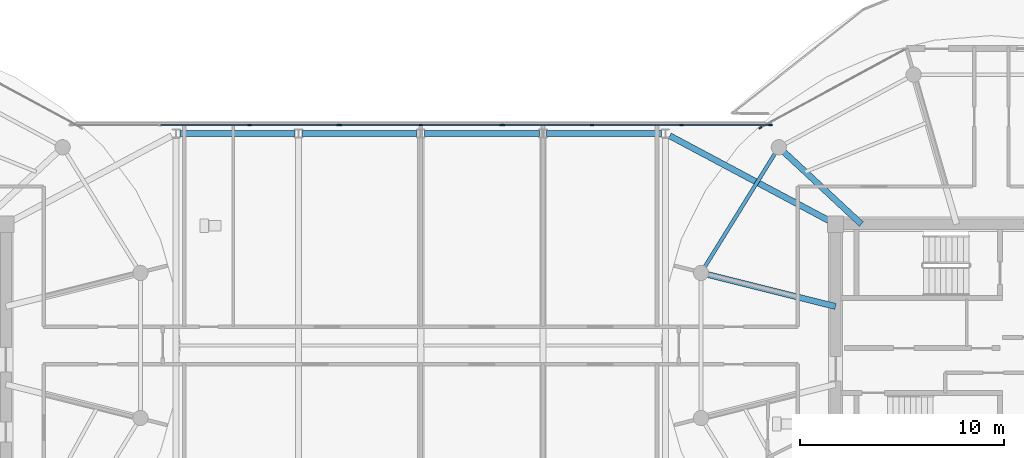
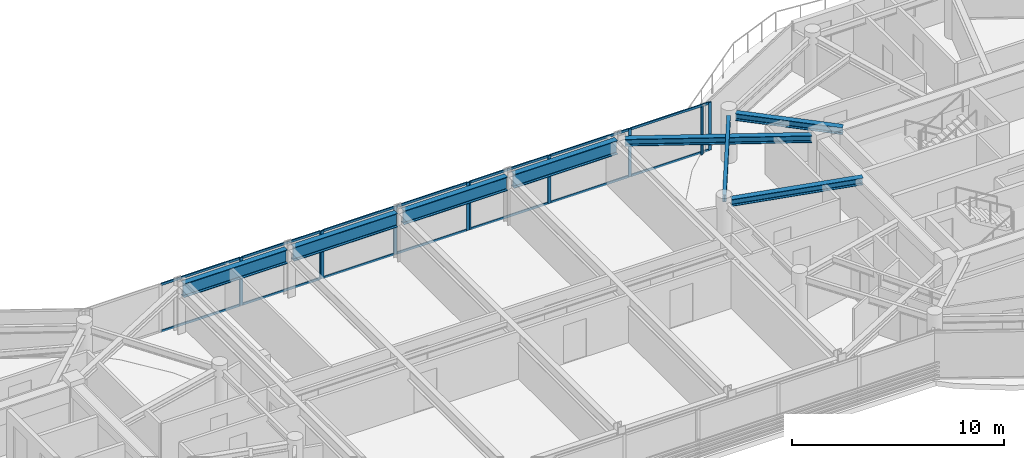
# One storey, part 8 of 24: 24 members, 8 beams, 4 elements without a shape of their own.
"""IFC4 building model written with IfcOpenShell, lengths in metres."""

import ifcopenshell
import ifcopenshell.guid

model = None  # the IFC model being written
_history = None  # IfcOwnerHistory: only IFC2X3 demands one
_inside = {}  # id of a spatial element -> (the spatial element, [elements in it])
_under = {}  # id of a project, library or spatial element -> (it, [spatial elements below it])
_declared = {}  # id of a project -> (the project, [libraries it declares])
_typed = {}  # id of a type object -> (the type object, [elements of that type])
_made_of = {}  # id of a material, layer set ... -> (it, [elements and type objects made of it])


def new_model(schema):
    """Start an empty IFC model of exactly this schema.

    Asked for "IFC4X3", IfcOpenShell would pick the latest addendum, in which some entities
    have other attributes; the version numbers below select the first issue.
    IFC2X3 requires an IfcOwnerHistory on every rooted entity: one is made here for all.
    """
    global model, _history
    if schema == "IFC4X3":
        model = ifcopenshell.file(schema_version=(4, 3, 0, 0))
    else:
        model = ifcopenshell.file(schema=schema)
    _inside.clear()
    _under.clear()
    _declared.clear()
    _typed.clear()
    _made_of.clear()
    _history = None
    if model.schema == "IFC2X3":
        org = make("IfcOrganization", Name="unknown")
        user = make(
            "IfcPersonAndOrganization",
            ThePerson=make("IfcPerson", FamilyName="unknown"),
            TheOrganization=org,
        )
        app = make(
            "IfcApplication",
            ApplicationDeveloper=org,
            Version="unknown",
            ApplicationFullName="unknown",
            ApplicationIdentifier="unknown",
        )
        _history = make(
            "IfcOwnerHistory",
            OwningUser=user,
            OwningApplication=app,
            ChangeAction="ADDED",
            CreationDate=0,
        )
    return model


def make(cls, **values):
    """One entity of the class cls with the attributes given. An attribute that is None is left unset."""
    return model.create_entity(
        cls, **{name: value for name, value in values.items() if value is not None}
    )


def rooted(cls, **values):
    """An entity with a GlobalId (a new one), such as an element, a storey or a relation."""
    return make(cls, GlobalId=ifcopenshell.guid.new(), OwnerHistory=_history, **values)


def si_unit(unit_type, name, prefix=None):
    """IfcSIUnit, for example si_unit("LENGTHUNIT", "METRE", prefix="MILLI")."""
    return make("IfcSIUnit", UnitType=unit_type, Prefix=prefix, Name=name)


def assignment(units):
    """IfcUnitAssignment: the units of a project."""
    return None if units is None else make("IfcUnitAssignment", Units=units)


def point(xyz):
    """IfcCartesianPoint."""
    return None if xyz is None else make("IfcCartesianPoint", Coordinates=xyz)


def direction(xyz):
    """IfcDirection."""
    return None if xyz is None else make("IfcDirection", DirectionRatios=xyz)


def frame(location, z_axis=None, x_axis=None):
    """IfcAxis2Placement3D, a coordinate frame: its origin and axes. An axis left out is left unset."""
    return make(
        "IfcAxis2Placement3D",
        Location=point(location),
        Axis=direction(z_axis),
        RefDirection=direction(x_axis),
    )


def frame_2d(location, x_axis=None):
    """IfcAxis2Placement2D, a coordinate frame in the plane: its origin and x axis."""
    return make(
        "IfcAxis2Placement2D", Location=point(location), RefDirection=direction(x_axis)
    )


def origin():
    """The frame at (0, 0, 0) with its axes left unset."""
    return frame((0.0, 0.0, 0.0))


def origin_2d():
    """The frame at (0, 0) in the plane with its x axis left unset."""
    return frame_2d((0.0, 0.0))


def place(relative_to, where):
    """IfcLocalPlacement: puts the frame where relative to a parent placement (None: the world)."""
    return make(
        "IfcLocalPlacement", PlacementRelTo=relative_to, RelativePlacement=where
    )


def context(
    kind, dimensions, precision=None, world=None, true_north=None, identifier=None
):
    """IfcGeometricRepresentationContext, for example the 3D "Model" context."""
    return make(
        "IfcGeometricRepresentationContext",
        ContextIdentifier=identifier,
        ContextType=kind,
        CoordinateSpaceDimension=dimensions,
        Precision=precision,
        WorldCoordinateSystem=world,
        TrueNorth=true_north,
    )


def subcontext(parent, identifier, kind, view, scale=None):
    """IfcGeometricRepresentationSubContext, for example "Body" below "Model"."""
    return make(
        "IfcGeometricRepresentationSubContext",
        ContextIdentifier=identifier,
        ContextType=kind,
        ParentContext=parent,
        TargetScale=scale,
        TargetView=view,
    )


def project(units=None, contexts=None):
    """IfcProject with its units and contexts."""
    return rooted(
        "IfcProject",
        Name="project",
        RepresentationContexts=contexts,
        UnitsInContext=assignment(units),
    )


def spatial(cls, under=None, at=None, **own):
    """A site, building, storey or space (cls), placed at a placement, below another one or the project."""
    s = rooted(cls, ObjectPlacement=at, **own)
    if under is not None:
        _under.setdefault(under.id(), (under, []))[1].append(s)
    return s


def profile(cls, at=None, kind="AREA", **sizes):
    """A parametric profile (cls). Its sizes go by their IFC names, for example OverallWidth=200.0."""
    return make(cls, ProfileType=kind, Position=at, **sizes)


def rectangle(**sizes):
    """IfcRectangleProfileDef."""
    return profile("IfcRectangleProfileDef", **sizes)


def i_section(**sizes):
    """IfcIShapeProfileDef."""
    return profile("IfcIShapeProfileDef", **sizes)


def extrude(swept, where, along, depth):
    """IfcExtrudedAreaSolid: the profile swept, set in the frame where, extruded along a direction by depth."""
    return make(
        "IfcExtrudedAreaSolid",
        SweptArea=swept,
        Position=where,
        ExtrudedDirection=direction(along),
        Depth=depth,
    )


def shape(context_of_items, identifier, shape_type, items):
    """IfcShapeRepresentation: the items that make up one representation, for example the "Body"."""
    return make(
        "IfcShapeRepresentation",
        ContextOfItems=context_of_items,
        RepresentationIdentifier=identifier,
        RepresentationType=shape_type,
        Items=items,
    )


def source(mapping_origin, context_of_items, identifier, shape_type, items):
    """IfcRepresentationMap: a shape defined once, which mapped items show again and again."""
    return make(
        "IfcRepresentationMap",
        MappingOrigin=mapping_origin,
        MappedRepresentation=shape(context_of_items, identifier, shape_type, items),
    )


def transform(
    local_origin,
    x_axis=None,
    y_axis=None,
    z_axis=None,
    scale=None,
    scale2=None,
    scale3=None,
    uniform=True,
):
    """IfcCartesianTransformationOperator3D, or its non-uniform kind. x_axis, y_axis, z_axis: its Axis1, 2, 3."""
    if uniform:
        return make(
            "IfcCartesianTransformationOperator3D",
            Axis1=direction(x_axis),
            Axis2=direction(y_axis),
            LocalOrigin=point(local_origin),
            Scale=scale,
            Axis3=direction(z_axis),
        )
    return make(
        "IfcCartesianTransformationOperator3DnonUniform",
        Axis1=direction(x_axis),
        Axis2=direction(y_axis),
        LocalOrigin=point(local_origin),
        Scale=scale,
        Axis3=direction(z_axis),
        Scale2=scale2,
        Scale3=scale3,
    )


def mapped(mapping_source, mapping_target):
    """IfcMappedItem: shows the shape of a source again, moved by a transform."""
    return make(
        "IfcMappedItem", MappingSource=mapping_source, MappingTarget=mapping_target
    )


def material(Name=None, Category=None):
    """IfcMaterial."""
    return make("IfcMaterial", Name=Name, Category=Category)


def layer(
    of_material, thickness, ventilated=None, Name=None, Category=None, Priority=None
):
    """IfcMaterialLayer: one layer of a wall or slab, of a material (None: an air gap)."""
    return make(
        "IfcMaterialLayer",
        Material=of_material,
        LayerThickness=thickness,
        IsVentilated=ventilated,
        Name=Name,
        Category=Category,
        Priority=Priority,
    )


def layer_set(layers, Name=None):
    """IfcMaterialLayerSet."""
    return make("IfcMaterialLayerSet", MaterialLayers=layers, LayerSetName=Name)


def material_profile(
    of_material, cross_section, Name=None, Category=None, Priority=None
):
    """IfcMaterialProfile: a cross section and its material."""
    return make(
        "IfcMaterialProfile",
        Name=Name,
        Material=of_material,
        Profile=cross_section,
        Priority=Priority,
        Category=Category,
    )


def profile_set(profiles, Name=None, composite=None):
    """IfcMaterialProfileSet."""
    return make(
        "IfcMaterialProfileSet",
        Name=Name,
        MaterialProfiles=profiles,
        CompositeProfile=composite,
    )


def made_of(thing, what):
    """Note that an element or type object is made of a material, layer set ...; save() writes the relation."""
    if what is not None:
        _made_of.setdefault(what.id(), (what, []))[1].append(thing)
    return thing


def type_object(cls, material=None, **own):
    """A type object (cls), such as IfcWallType, which elements share."""
    return made_of(rooted(cls, **own), material)


def type_shapes(of_type, sources):
    """Give a type object the sources (RepresentationMaps) that its elements show as mapped items."""
    of_type.RepresentationMaps = sources


def element(
    cls,
    number,
    at=None,
    inside=None,
    cuts=None,
    type_object=None,
    material=None,
    context=None,
    identifier="Body",
    shape_type=None,
    held_by="IfcProductDefinitionShape",
    body=None,
    shapes=None,
    **own,
):
    """One element of the class cls, such as IfcWall. Its Tag is "e" and its number.

    at: its placement. inside: the storey or other place that contains it. cuts: it is an
    opening in that element (IfcRelVoidsElement). A single representation is given by context,
    identifier, shape_type and body (its items); several are given by shapes. held_by: the class
    of the entity that holds the representations. save() writes the other relations.
    """
    e = rooted(cls, Tag="e%d" % number, ObjectPlacement=at, **own)
    if body is not None:
        shapes = [shape(context, identifier, shape_type, body)]
    if shapes is not None:
        e.Representation = make(held_by, Representations=shapes)
    if inside is not None:
        _inside.setdefault(inside.id(), (inside, []))[1].append(e)
    if cuts is not None:
        rooted(
            "IfcRelVoidsElement", RelatingBuildingElement=cuts, RelatedOpeningElement=e
        )
    if type_object is not None:
        _typed.setdefault(type_object.id(), (type_object, []))[1].append(e)
    return made_of(e, material)


def aggregate(whole, parts):
    """IfcRelAggregates: a whole, such as a stair, and the parts it consists of."""
    return rooted("IfcRelAggregates", RelatingObject=whole, RelatedObjects=parts)


def save(model, path):
    """Write the relations noted so far, then the file.

    IfcRelAggregates (storeys below a building ...), IfcRelContainedInSpatialStructure (elements
    in a storey), IfcRelDefinesByType, IfcRelAssociatesMaterial and IfcRelDeclares: one each for
    every whole, place, type object, material and project.
    """
    for whole, parts in _under.values():
        aggregate(whole, parts)
    for where, things in _inside.values():
        rooted(
            "IfcRelContainedInSpatialStructure",
            RelatedElements=things,
            RelatingStructure=where,
        )
    for kind, things in _typed.values():
        rooted("IfcRelDefinesByType", RelatedObjects=things, RelatingType=kind)
    for what, things in _made_of.values():
        rooted("IfcRelAssociatesMaterial", RelatedObjects=things, RelatingMaterial=what)
    for by, libraries in _declared.values():
        rooted("IfcRelDeclares", RelatingContext=by, RelatedDefinitions=libraries)
    model.write(path)


model = new_model("IFC4")

# Units and contexts
model_context = context("Model", 3, precision=1e-05, world=origin(), true_north=direction((0.0, 1.0)))
body_context = subcontext(model_context, "Body", "Model", "MODEL_VIEW")
ifc_project = project(units=[si_unit("LENGTHUNIT", "METRE"), si_unit("AREAUNIT", "SQUARE_METRE"), si_unit("VOLUMEUNIT", "CUBIC_METRE"), si_unit("PLANEANGLEUNIT", "RADIAN"), si_unit("MASSUNIT", "GRAM", prefix="KILO")], contexts=[model_context])

# Site, building, storey
site_placement = place(None, origin())
site = spatial("IfcSite", under=ifc_project, at=site_placement, CompositionType="ELEMENT")
building_placement = place(site_placement, origin())
building = spatial("IfcBuilding", under=site, at=building_placement, Name="Norrkilde Senior Care Towers", CompositionType="ELEMENT")
storey_placement = place(building_placement, frame((0.0, 0.0, 226.10009765625)))
storey = spatial("IfcBuildingStorey", under=building, at=storey_placement, Name="L70", CompositionType="ELEMENT", Elevation=226.10009765625)

# Beams
ifc_material_1 = material(Name="Steel S355", Category="steel")
ifc_material_profile_1 = material_profile(ifc_material_1, i_section(OverallWidth=0.179931640625, OverallDepth=0.39990234375, WebThickness=0.008544921875, FlangeThickness=0.013427734375, FilletRadius=0.02099609375, at=origin_2d()), Name="IPE 400")
ifc_profile_set_1 = profile_set([ifc_material_profile_1], Name="Steel S355")
beam_type_1 = type_object("IfcBeamType", Name="Perimeter Ring Spandrel Z4 IPE400", PredefinedType="SPANDREL", material=ifc_profile_set_1)
shared_shape_1 = source(origin(), body_context, "Body", "SweptSolid", [
    extrude(i_section(OverallWidth=0.179931640625, OverallDepth=0.39990234375, WebThickness=0.008544921875, FlangeThickness=0.013427734375, FilletRadius=0.02099609375, at=origin_2d()), origin(), (0.0, 0.0, 1.0), 6.58056640625),
])
type_shapes(beam_type_1, [shared_shape_1])
beam_1_placement = place(storey_placement, frame((17.393798828125, 9.43798828125, 2.559814453125), z_axis=(-0.526529583789, -0.850156807533, 0.0), x_axis=(0.850156807533, -0.526529583789, 0.0)))
element("IfcBeam", 1, at=beam_1_placement, inside=storey, type_object=beam_type_1, Name="L70 Drum E Perimeter Spandrel 05", PredefinedType="SPANDREL", context=body_context, shape_type="MappedRepresentation", body=[
    mapped(shared_shape_1, transform((0.0, 0.0, 0.0), x_axis=(1.0, 0.0, 0.0), y_axis=(0.0, 1.0, 0.0), z_axis=(0.0, 0.0, 1.0), scale=1.0)),
])
ifc_material_profile_2 = material_profile(ifc_material_1, i_section(OverallWidth=0.300048828125, OverallDepth=0.39990234375, WebThickness=0.013427734375, FlangeThickness=0.02392578125, FilletRadius=0.027099609375, at=origin_2d()), Name="HEB 400")
ifc_profile_set_2 = profile_set([ifc_material_profile_2], Name="Steel S355")
beam_type_2 = type_object("IfcBeamType", Name="Radial Floor Beam Z4 HEB400", PredefinedType="BEAM", material=ifc_profile_set_2)
shared_shape_2 = source(origin(), body_context, "Body", "SweptSolid", [
    extrude(i_section(OverallWidth=0.300048828125, OverallDepth=0.39990234375, WebThickness=0.013427734375, FlangeThickness=0.02392578125, FilletRadius=0.027099609375, at=origin_2d()), origin(), (0.0, 0.0, 1.0), 6.465087890625),
])
beam_2_placement = place(storey_placement, frame((20.35009765625, 1.910888671875, 2.559814453125), z_axis=(-0.970195788563, 0.242322371758, 0.0), x_axis=(-0.242322371758, -0.970195788563, 0.0)))
element("IfcBeam", 2, at=beam_2_placement, inside=storey, type_object=beam_type_2, Name="L70 Drum E Radial Floor Beam 06", PredefinedType="BEAM", context=body_context, shape_type="MappedRepresentation", body=[
    mapped(shared_shape_2, transform((0.0, 0.0, 0.0), x_axis=(1.0, 0.0, 0.0), y_axis=(0.0, 1.0, 0.0), z_axis=(0.0, 0.0, 1.0), scale=1.0)),
])
shared_shape_3 = source(origin(), body_context, "Body", "SweptSolid", [
    extrude(i_section(OverallWidth=0.300048828125, OverallDepth=0.39990234375, WebThickness=0.013427734375, FlangeThickness=0.02392578125, FilletRadius=0.027099609375, at=origin_2d()), origin(), (0.0, 0.0, 1.0), 5.197998046875),
])
beam_3_placement = place(storey_placement, frame((21.6171875, 5.949951171875, 2.559814453125), z_axis=(-0.731448749334, 0.681896419625, 0.0), x_axis=(-0.681896419625, -0.731448749334, 0.0)))
element("IfcBeam", 3, at=beam_3_placement, inside=storey, type_object=beam_type_2, Name="L70 Drum E Radial Floor Beam 05", PredefinedType="BEAM", context=body_context, shape_type="MappedRepresentation", body=[
    mapped(shared_shape_3, transform((0.0, 0.0, 0.0), x_axis=(1.0, 0.0, 0.0), y_axis=(0.0, 1.0, 0.0), z_axis=(0.0, 0.0, 1.0), scale=1.0)),
])
shared_shape_4 = source(origin(), body_context, "Body", "SweptSolid", [
    extrude(i_section(OverallWidth=0.300048828125, OverallDepth=0.39990234375, WebThickness=0.013427734375, FlangeThickness=0.02392578125, FilletRadius=0.027099609375, at=origin_2d()), origin(), (0.0, 0.0, 1.0), 8.831787109375),
])
type_shapes(beam_type_2, [shared_shape_2, shared_shape_3, shared_shape_4])
beam_4_placement = place(storey_placement, frame((12.220703125, 10.282470703125, 2.559814453125), z_axis=(0.882492172381, -0.470327083727, 0.0), x_axis=(0.470327083727, 0.882492172381, 0.0)))
element("IfcBeam", 4, at=beam_4_placement, inside=storey, type_object=beam_type_2, Name="L70 Sky-Gate Bridge Girder N6", PredefinedType="BEAM", context=body_context, shape_type="MappedRepresentation", body=[
    mapped(shared_shape_4, transform((0.0, 0.0, 0.0), x_axis=(1.0, 0.0, 0.0), y_axis=(0.0, 1.0, 0.0), z_axis=(0.0, 0.0, 1.0), scale=1.0)),
])
ifc_material_profile_3 = material_profile(ifc_material_1, i_section(OverallWidth=0.300048828125, OverallDepth=0.800048828125, WebThickness=0.017578125, FlangeThickness=0.032958984375, FilletRadius=0.030029296875, at=origin_2d()), Name="HEB 800")
ifc_profile_set_3 = profile_set([ifc_material_profile_3], Name="Steel S355")
beam_type_3 = type_object("IfcBeamType", Name="Bridge Floor Girder HEB800", PredefinedType="USERDEFINED", material=ifc_profile_set_3)
shared_shape_5 = source(origin(), body_context, "Body", "SweptSolid", [
    extrude(i_section(OverallWidth=0.300048828125, OverallDepth=0.800048828125, WebThickness=0.017578125, FlangeThickness=0.032958984375, FilletRadius=0.030029296875, at=origin_2d()), origin(), (0.0, 0.0, 1.0), 5.64013671875),
])
type_shapes(beam_type_3, [shared_shape_5])
for number, where, z_axis, x_axis, name in (
    (5, (-11.820068359375, 10.39990234375, 2.35986328125), (1.0, 0.0, 0.0), (0.0, 1.0, 0.0), "L70 Sky-Gate Bridge Girder N2"),
    (6, (-5.820068359375, 10.39990234375, 2.35986328125), (1.0, 0.0, 0.0), (0.0, 1.0, 0.0), "L70 Sky-Gate Bridge Girder N3"),
    (7, (0.179931640625, 10.39990234375, 2.35986328125), (1.0, 0.0, 0.0), (0.0, 1.0, 0.0), "L70 Sky-Gate Bridge Girder N4"),
    (8, (6.179931640625, 10.39990234375, 2.35986328125), (1.0, 0.0, 0.0), (0.0, 1.0, 0.0), "L70 Sky-Gate Bridge Girder N5"),
):
    element("IfcBeam", number, at=place(storey_placement, frame(where, z_axis=z_axis, x_axis=x_axis)), inside=storey, type_object=beam_type_3, Name=name, ObjectType="GIRDER", PredefinedType="USERDEFINED", context=body_context, shape_type="MappedRepresentation", body=[
        mapped(shared_shape_5, transform((0.0, 0.0, 0.0), x_axis=(1.0, 0.0, 0.0), y_axis=(0.0, 1.0, 0.0), z_axis=(0.0, 0.0, 1.0), scale=1.0)),
    ])

# Curtain wall, member
ifc_material_2 = material(Name="Triple Low-E Insulated Glazing", Category="glass")
ifc_layer_1 = layer(ifc_material_2, 0.18505859375)
ifc_layer_set_1 = layer_set([ifc_layer_1], Name="Triple Low-E Insulated Glazing")
curtain_wall_type_1 = type_object("IfcCurtainWallType", Name="CW6 Zone 4 Crown Pavilion Curtain Wall", PredefinedType="NOTDEFINED", material=ifc_layer_set_1)
curtain_wall_1_placement = place(storey_placement, origin())
curtain_wall_1 = element("IfcCurtainWall", 9, at=curtain_wall_1_placement, inside=storey, type_object=curtain_wall_type_1, Name="L70 Drum E Curtain Wall 03", PredefinedType="NOTDEFINED")
ifc_material_3 = material(Name="Anodised Aluminium", Category="aluminium")
ifc_material_profile_4 = material_profile(ifc_material_3, rectangle(XDim=0.06494140625, YDim=0.14990234375, at=origin_2d()), Name="ALU MULL 65x150")
ifc_profile_set_4 = profile_set([ifc_material_profile_4], Name="Anodised Aluminium")
member_type_1 = type_object("IfcMemberType", Name="Curtain Wall Mullion Z3-Z4 65x150", PredefinedType="MULLION", material=ifc_profile_set_4)
shared_shape_6 = source(origin(), body_context, "Body", "SweptSolid", [
    extrude(rectangle(XDim=0.06494140625, YDim=0.14990234375, at=origin_2d()), origin(), (0.0, 0.0, 1.0), 2.760009765625),
])
type_shapes(member_type_1, [shared_shape_6])
member_1_placement = place(storey_placement, frame((16.658203125, 10.6787109375, 0.0), z_axis=(0.0, 0.0, 1.0), x_axis=(-0.476132676136, 0.879373455772, 0.0)))
member_1 = element("IfcMember", 10, at=member_1_placement, type_object=member_type_1, Name="CW-6 mullion 1", PredefinedType="MULLION", context=body_context, shape_type="MappedRepresentation", body=[
    mapped(shared_shape_6, transform((0.0, 0.0, 0.0), x_axis=(1.0, 0.0, 0.0), y_axis=(0.0, 1.0, 0.0), z_axis=(0.0, 0.0, 1.0), scale=1.0)),
])
aggregate(curtain_wall_1, [member_1])

# Curtain wall, members
ifc_layer_2 = layer(ifc_material_2, 0.2099609375)
ifc_layer_set_2 = layer_set([ifc_layer_2], Name="Triple Low-E Insulated Glazing")
curtain_wall_type_2 = type_object("IfcCurtainWallType", Name="CW5 Sky-Gate Bridge Curtain Wall", PredefinedType="NOTDEFINED", material=ifc_layer_set_2)
curtain_wall_2_placement = place(storey_placement, origin())
curtain_wall_2 = element("IfcCurtainWall", 11, at=curtain_wall_2_placement, inside=storey, type_object=curtain_wall_type_2, Name="L70 Sky-Gate Bridge North Curtain Wall 1", PredefinedType="NOTDEFINED")
ifc_material_profile_5 = material_profile(ifc_material_3, rectangle(XDim=0.06494140625, YDim=0.1298828125, at=origin_2d()), Name="ALU TRAN 65x130")
ifc_profile_set_5 = profile_set([ifc_material_profile_5], Name="Anodised Aluminium")
member_type_2 = type_object("IfcMemberType", Name="Curtain Wall Transom Heavy 65x130", PredefinedType="USERDEFINED", material=ifc_profile_set_5)
shared_shape_7 = source(origin(), body_context, "Body", "SweptSolid", [
    extrude(rectangle(XDim=0.06494140625, YDim=0.1298828125, at=origin_2d()), origin(), (0.0, 0.0, 1.0), 4.294921875),
])
member_2_placement = place(storey_placement, frame((-8.364990234375, 10.820068359375, 0.032470703125), z_axis=(1.0, 0.0, 0.0), x_axis=(0.0, 1.0, 0.0)))
member_2 = element("IfcMember", 12, at=member_2_placement, type_object=member_type_2, Name="CW-5 transom 3.1", ObjectType="TRANSOM", PredefinedType="USERDEFINED", context=body_context, shape_type="MappedRepresentation", body=[
    mapped(shared_shape_7, transform((0.0, 0.0, 0.0), x_axis=(1.0, 0.0, 0.0), y_axis=(0.0, 1.0, 0.0), z_axis=(0.0, 0.0, 1.0), scale=1.0)),
])
member_3_placement = place(storey_placement, frame((-8.364990234375, 10.820068359375, 2.727294921875), z_axis=(1.0, 0.0, 0.0), x_axis=(0.0, 1.0, 0.0)))
member_3 = element("IfcMember", 13, at=member_3_placement, type_object=member_type_2, Name="CW-5 transom 3.2", ObjectType="TRANSOM", PredefinedType="USERDEFINED", context=body_context, shape_type="MappedRepresentation", body=[
    mapped(shared_shape_7, transform((0.0, 0.0, 0.0), x_axis=(1.0, 0.0, 0.0), y_axis=(0.0, 1.0, 0.0), z_axis=(0.0, 0.0, 1.0), scale=1.0)),
])

curtain_wall_3_placement = place(storey_placement, origin())
curtain_wall_3 = element("IfcCurtainWall", 14, at=curtain_wall_3_placement, inside=storey, type_object=curtain_wall_type_2, Name="L70 Sky-Gate Bridge North Curtain Wall 3", PredefinedType="NOTDEFINED")
member_4_placement = place(storey_placement, frame((4.070068359375, 10.820068359375, 0.032470703125), z_axis=(1.0, 0.0, 0.0), x_axis=(0.0, 1.0, 0.0)))
member_4 = element("IfcMember", 15, at=member_4_placement, type_object=member_type_2, Name="CW-5 transom 1.1", ObjectType="TRANSOM", PredefinedType="USERDEFINED", context=body_context, shape_type="MappedRepresentation", body=[
    mapped(shared_shape_7, transform((0.0, 0.0, 0.0), x_axis=(1.0, 0.0, 0.0), y_axis=(0.0, 1.0, 0.0), z_axis=(0.0, 0.0, 1.0), scale=1.0)),
])
member_5_placement = place(storey_placement, frame((4.070068359375, 10.820068359375, 2.727294921875), z_axis=(1.0, 0.0, 0.0), x_axis=(0.0, 1.0, 0.0)))
member_5 = element("IfcMember", 16, at=member_5_placement, type_object=member_type_2, Name="CW-5 transom 1.2", ObjectType="TRANSOM", PredefinedType="USERDEFINED", context=body_context, shape_type="MappedRepresentation", body=[
    mapped(shared_shape_7, transform((0.0, 0.0, 0.0), x_axis=(1.0, 0.0, 0.0), y_axis=(0.0, 1.0, 0.0), z_axis=(0.0, 0.0, 1.0), scale=1.0)),
])
member_6_placement = place(storey_placement, frame((12.8349609375, 10.820068359375, 0.032470703125), z_axis=(1.0, 0.0, 0.0), x_axis=(0.0, 1.0, 0.0)))
member_6 = element("IfcMember", 17, at=member_6_placement, type_object=member_type_2, Name="CW-5 transom 3.1", ObjectType="TRANSOM", PredefinedType="USERDEFINED", context=body_context, shape_type="MappedRepresentation", body=[
    mapped(shared_shape_7, transform((0.0, 0.0, 0.0), x_axis=(1.0, 0.0, 0.0), y_axis=(0.0, 1.0, 0.0), z_axis=(0.0, 0.0, 1.0), scale=1.0)),
])
member_7_placement = place(storey_placement, frame((12.8349609375, 10.820068359375, 2.727294921875), z_axis=(1.0, 0.0, 0.0), x_axis=(0.0, 1.0, 0.0)))
member_7 = element("IfcMember", 18, at=member_7_placement, type_object=member_type_2, Name="CW-5 transom 3.2", ObjectType="TRANSOM", PredefinedType="USERDEFINED", context=body_context, shape_type="MappedRepresentation", body=[
    mapped(shared_shape_7, transform((0.0, 0.0, 0.0), x_axis=(1.0, 0.0, 0.0), y_axis=(0.0, 1.0, 0.0), z_axis=(0.0, 0.0, 1.0), scale=1.0)),
])

# Member
shared_shape_8 = source(origin(), body_context, "Body", "SweptSolid", [
    extrude(rectangle(XDim=0.06494140625, YDim=0.1298828125, at=origin_2d()), origin(), (0.0, 0.0, 1.0), 4.329833984375),
])
member_8_placement = place(storey_placement, frame((-12.764892578125, 10.820068359375, 0.032470703125), z_axis=(1.0, 0.0, 0.0), x_axis=(0.0, 1.0, 0.0)))
member_8 = element("IfcMember", 19, at=member_8_placement, type_object=member_type_2, Name="CW-5 transom 2.1", ObjectType="TRANSOM", PredefinedType="USERDEFINED", context=body_context, shape_type="MappedRepresentation", body=[
    mapped(shared_shape_8, transform((0.0, 0.0, 0.0), x_axis=(1.0, 0.0, 0.0), y_axis=(0.0, 1.0, 0.0), z_axis=(0.0, 0.0, 1.0), scale=1.0)),
])

member_9_placement = place(storey_placement, frame((-12.764892578125, 10.820068359375, 2.727294921875), z_axis=(1.0, 0.0, 0.0), x_axis=(0.0, 1.0, 0.0)))
member_9 = element("IfcMember", 20, at=member_9_placement, type_object=member_type_2, Name="CW-5 transom 2.2", ObjectType="TRANSOM", PredefinedType="USERDEFINED", context=body_context, shape_type="MappedRepresentation", body=[
    mapped(shared_shape_8, transform((0.0, 0.0, 0.0), x_axis=(1.0, 0.0, 0.0), y_axis=(0.0, 1.0, 0.0), z_axis=(0.0, 0.0, 1.0), scale=1.0)),
])

member_10_placement = place(storey_placement, frame((8.43505859375, 10.820068359375, 0.032470703125), z_axis=(1.0, 0.0, 0.0), x_axis=(0.0, 1.0, 0.0)))
member_10 = element("IfcMember", 21, at=member_10_placement, type_object=member_type_2, Name="CW-5 transom 2.1", ObjectType="TRANSOM", PredefinedType="USERDEFINED", context=body_context, shape_type="MappedRepresentation", body=[
    mapped(shared_shape_8, transform((0.0, 0.0, 0.0), x_axis=(1.0, 0.0, 0.0), y_axis=(0.0, 1.0, 0.0), z_axis=(0.0, 0.0, 1.0), scale=1.0)),
])

member_11_placement = place(storey_placement, frame((8.43505859375, 10.820068359375, 2.727294921875), z_axis=(1.0, 0.0, 0.0), x_axis=(0.0, 1.0, 0.0)))
member_11 = element("IfcMember", 22, at=member_11_placement, type_object=member_type_2, Name="CW-5 transom 2.2", ObjectType="TRANSOM", PredefinedType="USERDEFINED", context=body_context, shape_type="MappedRepresentation", body=[
    mapped(shared_shape_8, transform((0.0, 0.0, 0.0), x_axis=(1.0, 0.0, 0.0), y_axis=(0.0, 1.0, 0.0), z_axis=(0.0, 0.0, 1.0), scale=1.0)),
])

# Curtain wall, members
curtain_wall_4_placement = place(storey_placement, origin())
curtain_wall_4 = element("IfcCurtainWall", 23, at=curtain_wall_4_placement, inside=storey, type_object=curtain_wall_type_2, Name="L70 Sky-Gate Bridge North Curtain Wall 2", PredefinedType="NOTDEFINED")
shared_shape_9 = source(origin(), body_context, "Body", "SweptSolid", [
    extrude(rectangle(XDim=0.06494140625, YDim=0.1298828125, at=origin_2d()), origin(), (0.0, 0.0, 1.0), 3.89501953125),
])
type_shapes(member_type_2, [shared_shape_7, shared_shape_8, shared_shape_9])
member_12_placement = place(storey_placement, frame((-3.929931640625, 10.820068359375, 0.032470703125), z_axis=(1.0, 0.0, 0.0), x_axis=(0.0, 1.0, 0.0)))
member_12 = element("IfcMember", 24, at=member_12_placement, type_object=member_type_2, Name="CW-5 transom 1.1", ObjectType="TRANSOM", PredefinedType="USERDEFINED", context=body_context, shape_type="MappedRepresentation", body=[
    mapped(shared_shape_9, transform((0.0, 0.0, 0.0), x_axis=(1.0, 0.0, 0.0), y_axis=(0.0, 1.0, 0.0), z_axis=(0.0, 0.0, 1.0), scale=1.0)),
])
member_13_placement = place(storey_placement, frame((-3.929931640625, 10.820068359375, 2.727294921875), z_axis=(1.0, 0.0, 0.0), x_axis=(0.0, 1.0, 0.0)))
member_13 = element("IfcMember", 25, at=member_13_placement, type_object=member_type_2, Name="CW-5 transom 1.2", ObjectType="TRANSOM", PredefinedType="USERDEFINED", context=body_context, shape_type="MappedRepresentation", body=[
    mapped(shared_shape_9, transform((0.0, 0.0, 0.0), x_axis=(1.0, 0.0, 0.0), y_axis=(0.0, 1.0, 0.0), z_axis=(0.0, 0.0, 1.0), scale=1.0)),
])
member_14_placement = place(storey_placement, frame((0.034912109375, 10.820068359375, 0.032470703125), z_axis=(1.0, 0.0, 0.0), x_axis=(0.0, 1.0, 0.0)))
member_14 = element("IfcMember", 26, at=member_14_placement, type_object=member_type_2, Name="CW-5 transom 2.1", ObjectType="TRANSOM", PredefinedType="USERDEFINED", context=body_context, shape_type="MappedRepresentation", body=[
    mapped(shared_shape_9, transform((0.0, 0.0, 0.0), x_axis=(1.0, 0.0, 0.0), y_axis=(0.0, 1.0, 0.0), z_axis=(0.0, 0.0, 1.0), scale=1.0)),
])
member_15_placement = place(storey_placement, frame((0.034912109375, 10.820068359375, 2.727294921875), z_axis=(1.0, 0.0, 0.0), x_axis=(0.0, 1.0, 0.0)))
member_15 = element("IfcMember", 27, at=member_15_placement, type_object=member_type_2, Name="CW-5 transom 2.2", ObjectType="TRANSOM", PredefinedType="USERDEFINED", context=body_context, shape_type="MappedRepresentation", body=[
    mapped(shared_shape_9, transform((0.0, 0.0, 0.0), x_axis=(1.0, 0.0, 0.0), y_axis=(0.0, 1.0, 0.0), z_axis=(0.0, 0.0, 1.0), scale=1.0)),
])

# Member
ifc_material_profile_6 = material_profile(ifc_material_3, rectangle(XDim=0.070068359375, YDim=0.169921875, at=origin_2d()), Name="ALU MULL 70x170")
ifc_profile_set_6 = profile_set([ifc_material_profile_6], Name="Anodised Aluminium")
member_type_3 = type_object("IfcMemberType", Name="Curtain Wall Mullion Heavy 70x170", PredefinedType="MULLION", material=ifc_profile_set_6)
shared_shape_10 = source(origin(), body_context, "Body", "SweptSolid", [
    extrude(rectangle(XDim=0.070068359375, YDim=0.169921875, at=origin_2d()), origin(), (0.0, 0.0, 1.0), 2.760009765625),
])
type_shapes(member_type_3, [shared_shape_10])
member_16_placement = place(storey_placement, frame((-8.39990234375, 10.820068359375, 0.0), z_axis=(0.0, 0.0, 1.0), x_axis=(0.0, 1.0, 0.0)))
member_16 = element("IfcMember", 28, at=member_16_placement, type_object=member_type_3, Name="CW-5 mullion 3", PredefinedType="MULLION", context=body_context, shape_type="MappedRepresentation", body=[
    mapped(shared_shape_10, transform((0.0, 0.0, 0.0), x_axis=(1.0, 0.0, 0.0), y_axis=(0.0, 1.0, 0.0), z_axis=(0.0, 0.0, 1.0), scale=1.0)),
])

member_17_placement = place(storey_placement, frame((-4.034912109375, 10.820068359375, 0.0), z_axis=(0.0, 0.0, 1.0), x_axis=(0.0, 1.0, 0.0)))
member_17 = element("IfcMember", 29, at=member_17_placement, type_object=member_type_3, Name="CW-5 mullion 4", PredefinedType="MULLION", context=body_context, shape_type="MappedRepresentation", body=[
    mapped(shared_shape_10, transform((0.0, 0.0, 0.0), x_axis=(1.0, 0.0, 0.0), y_axis=(0.0, 1.0, 0.0), z_axis=(0.0, 0.0, 1.0), scale=1.0)),
])

aggregate(curtain_wall_2, [member_16, member_17, member_8, member_9, member_2, member_3])

member_18_placement = place(storey_placement, frame((-3.965087890625, 10.820068359375, 0.0), z_axis=(0.0, 0.0, 1.0), x_axis=(0.0, 1.0, 0.0)))
member_18 = element("IfcMember", 30, at=member_18_placement, type_object=member_type_3, Name="CW-5 mullion 1", PredefinedType="MULLION", context=body_context, shape_type="MappedRepresentation", body=[
    mapped(shared_shape_10, transform((0.0, 0.0, 0.0), x_axis=(1.0, 0.0, 0.0), y_axis=(0.0, 1.0, 0.0), z_axis=(0.0, 0.0, 1.0), scale=1.0)),
])

member_19_placement = place(storey_placement, frame((0.0, 10.820068359375, 0.0), z_axis=(0.0, 0.0, 1.0), x_axis=(0.0, 1.0, 0.0)))
member_19 = element("IfcMember", 31, at=member_19_placement, type_object=member_type_3, Name="CW-5 mullion 2", PredefinedType="MULLION", context=body_context, shape_type="MappedRepresentation", body=[
    mapped(shared_shape_10, transform((0.0, 0.0, 0.0), x_axis=(1.0, 0.0, 0.0), y_axis=(0.0, 1.0, 0.0), z_axis=(0.0, 0.0, 1.0), scale=1.0)),
])

member_20_placement = place(storey_placement, frame((3.965087890625, 10.820068359375, 0.0), z_axis=(0.0, 0.0, 1.0), x_axis=(0.0, 1.0, 0.0)))
member_20 = element("IfcMember", 32, at=member_20_placement, type_object=member_type_3, Name="CW-5 mullion 3", PredefinedType="MULLION", context=body_context, shape_type="MappedRepresentation", body=[
    mapped(shared_shape_10, transform((0.0, 0.0, 0.0), x_axis=(1.0, 0.0, 0.0), y_axis=(0.0, 1.0, 0.0), z_axis=(0.0, 0.0, 1.0), scale=1.0)),
])

aggregate(curtain_wall_4, [member_18, member_19, member_20, member_12, member_13, member_14, member_15])

member_21_placement = place(storey_placement, frame((4.034912109375, 10.820068359375, 0.0), z_axis=(0.0, 0.0, 1.0), x_axis=(0.0, 1.0, 0.0)))
member_21 = element("IfcMember", 33, at=member_21_placement, type_object=member_type_3, Name="CW-5 mullion 1", PredefinedType="MULLION", context=body_context, shape_type="MappedRepresentation", body=[
    mapped(shared_shape_10, transform((0.0, 0.0, 0.0), x_axis=(1.0, 0.0, 0.0), y_axis=(0.0, 1.0, 0.0), z_axis=(0.0, 0.0, 1.0), scale=1.0)),
])

member_22_placement = place(storey_placement, frame((8.39990234375, 10.820068359375, 0.0), z_axis=(0.0, 0.0, 1.0), x_axis=(0.0, 1.0, 0.0)))
member_22 = element("IfcMember", 34, at=member_22_placement, type_object=member_type_3, Name="CW-5 mullion 2", PredefinedType="MULLION", context=body_context, shape_type="MappedRepresentation", body=[
    mapped(shared_shape_10, transform((0.0, 0.0, 0.0), x_axis=(1.0, 0.0, 0.0), y_axis=(0.0, 1.0, 0.0), z_axis=(0.0, 0.0, 1.0), scale=1.0)),
])

member_23_placement = place(storey_placement, frame((12.800048828125, 10.820068359375, 0.0), z_axis=(0.0, 0.0, 1.0), x_axis=(0.0, 1.0, 0.0)))
member_23 = element("IfcMember", 35, at=member_23_placement, type_object=member_type_3, Name="CW-5 mullion 3", PredefinedType="MULLION", context=body_context, shape_type="MappedRepresentation", body=[
    mapped(shared_shape_10, transform((0.0, 0.0, 0.0), x_axis=(1.0, 0.0, 0.0), y_axis=(0.0, 1.0, 0.0), z_axis=(0.0, 0.0, 1.0), scale=1.0)),
])

member_24_placement = place(storey_placement, frame((17.1650390625, 10.820068359375, 0.0), z_axis=(0.0, 0.0, 1.0), x_axis=(0.0, 1.0, 0.0)))
member_24 = element("IfcMember", 36, at=member_24_placement, type_object=member_type_3, Name="CW-5 mullion 4", PredefinedType="MULLION", context=body_context, shape_type="MappedRepresentation", body=[
    mapped(shared_shape_10, transform((0.0, 0.0, 0.0), x_axis=(1.0, 0.0, 0.0), y_axis=(0.0, 1.0, 0.0), z_axis=(0.0, 0.0, 1.0), scale=1.0)),
])

aggregate(curtain_wall_3, [member_21, member_22, member_23, member_24, member_4, member_5, member_10, member_11, member_6, member_7])

save(model, "model.ifc")
